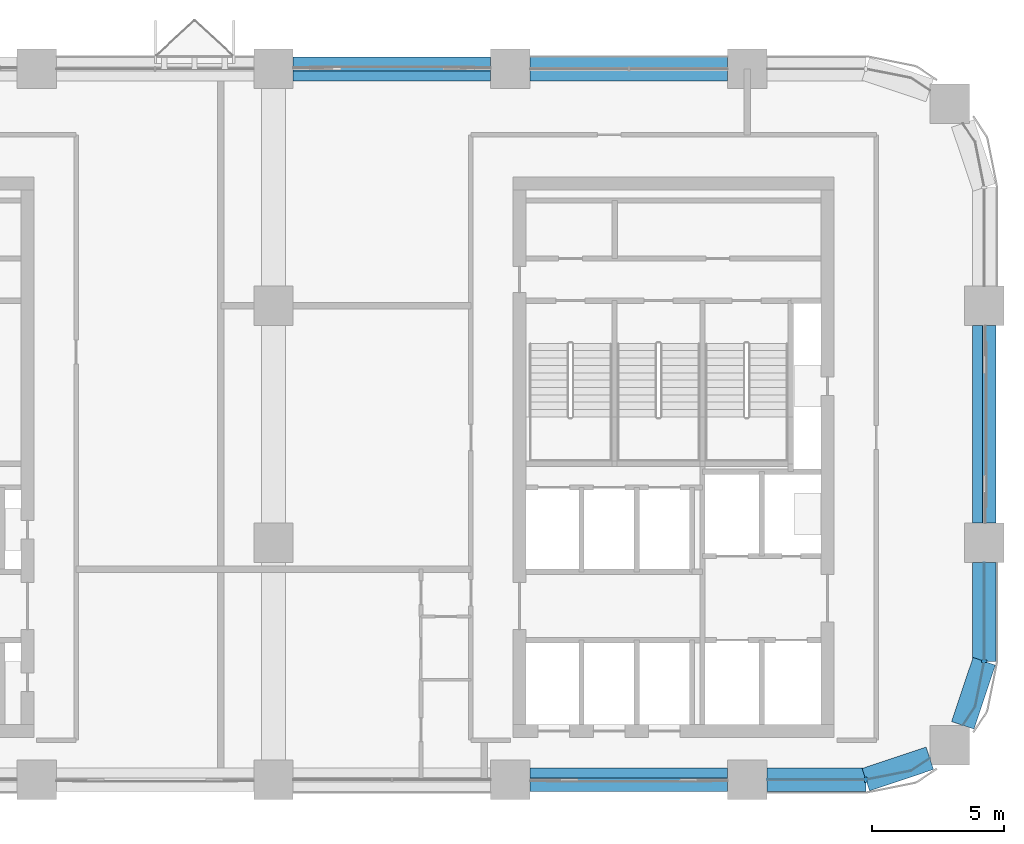
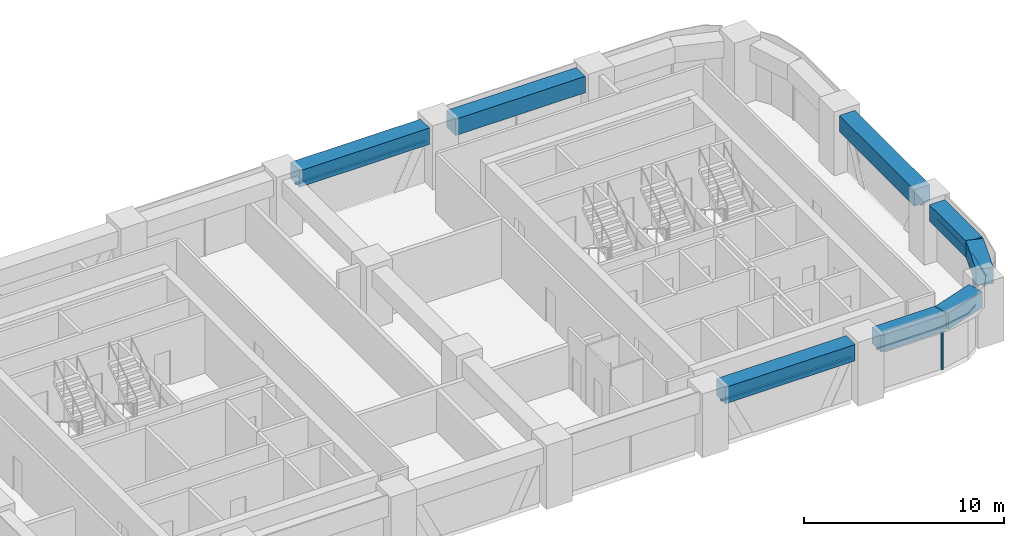
# One storey, part 5 of 14: 8 beams, 7 members, 5 elements without a shape of their own.
"""IFC4 building model written with IfcOpenShell, lengths in metres."""

import ifcopenshell
import ifcopenshell.guid

model = None  # the IFC model being written
_history = None  # IfcOwnerHistory: only IFC2X3 demands one
_inside = {}  # id of a spatial element -> (the spatial element, [elements in it])
_under = {}  # id of a project, library or spatial element -> (it, [spatial elements below it])
_declared = {}  # id of a project -> (the project, [libraries it declares])
_typed = {}  # id of a type object -> (the type object, [elements of that type])
_made_of = {}  # id of a material, layer set ... -> (it, [elements and type objects made of it])


def new_model(schema):
    """Start an empty IFC model of exactly this schema.

    Asked for "IFC4X3", IfcOpenShell would pick the latest addendum, in which some entities
    have other attributes; the version numbers below select the first issue.
    IFC2X3 requires an IfcOwnerHistory on every rooted entity: one is made here for all.
    """
    global model, _history
    if schema == "IFC4X3":
        model = ifcopenshell.file(schema_version=(4, 3, 0, 0))
    else:
        model = ifcopenshell.file(schema=schema)
    _inside.clear()
    _under.clear()
    _declared.clear()
    _typed.clear()
    _made_of.clear()
    _history = None
    if model.schema == "IFC2X3":
        org = make("IfcOrganization", Name="unknown")
        user = make(
            "IfcPersonAndOrganization",
            ThePerson=make("IfcPerson", FamilyName="unknown"),
            TheOrganization=org,
        )
        app = make(
            "IfcApplication",
            ApplicationDeveloper=org,
            Version="unknown",
            ApplicationFullName="unknown",
            ApplicationIdentifier="unknown",
        )
        _history = make(
            "IfcOwnerHistory",
            OwningUser=user,
            OwningApplication=app,
            ChangeAction="ADDED",
            CreationDate=0,
        )
    return model


def make(cls, **values):
    """One entity of the class cls with the attributes given. An attribute that is None is left unset."""
    return model.create_entity(
        cls, **{name: value for name, value in values.items() if value is not None}
    )


def rooted(cls, **values):
    """An entity with a GlobalId (a new one), such as an element, a storey or a relation."""
    return make(cls, GlobalId=ifcopenshell.guid.new(), OwnerHistory=_history, **values)


def si_unit(unit_type, name, prefix=None):
    """IfcSIUnit, for example si_unit("LENGTHUNIT", "METRE", prefix="MILLI")."""
    return make("IfcSIUnit", UnitType=unit_type, Prefix=prefix, Name=name)


def assignment(units):
    """IfcUnitAssignment: the units of a project."""
    return None if units is None else make("IfcUnitAssignment", Units=units)


def point(xyz):
    """IfcCartesianPoint."""
    return None if xyz is None else make("IfcCartesianPoint", Coordinates=xyz)


def direction(xyz):
    """IfcDirection."""
    return None if xyz is None else make("IfcDirection", DirectionRatios=xyz)


def frame(location, z_axis=None, x_axis=None):
    """IfcAxis2Placement3D, a coordinate frame: its origin and axes. An axis left out is left unset."""
    return make(
        "IfcAxis2Placement3D",
        Location=point(location),
        Axis=direction(z_axis),
        RefDirection=direction(x_axis),
    )


def frame_2d(location, x_axis=None):
    """IfcAxis2Placement2D, a coordinate frame in the plane: its origin and x axis."""
    return make(
        "IfcAxis2Placement2D", Location=point(location), RefDirection=direction(x_axis)
    )


def origin():
    """The frame at (0, 0, 0) with its axes left unset."""
    return frame((0.0, 0.0, 0.0))


def origin_2d():
    """The frame at (0, 0) in the plane with its x axis left unset."""
    return frame_2d((0.0, 0.0))


def place(relative_to, where):
    """IfcLocalPlacement: puts the frame where relative to a parent placement (None: the world)."""
    return make(
        "IfcLocalPlacement", PlacementRelTo=relative_to, RelativePlacement=where
    )


def context(
    kind, dimensions, precision=None, world=None, true_north=None, identifier=None
):
    """IfcGeometricRepresentationContext, for example the 3D "Model" context."""
    return make(
        "IfcGeometricRepresentationContext",
        ContextIdentifier=identifier,
        ContextType=kind,
        CoordinateSpaceDimension=dimensions,
        Precision=precision,
        WorldCoordinateSystem=world,
        TrueNorth=true_north,
    )


def subcontext(parent, identifier, kind, view, scale=None):
    """IfcGeometricRepresentationSubContext, for example "Body" below "Model"."""
    return make(
        "IfcGeometricRepresentationSubContext",
        ContextIdentifier=identifier,
        ContextType=kind,
        ParentContext=parent,
        TargetScale=scale,
        TargetView=view,
    )


def project(units=None, contexts=None):
    """IfcProject with its units and contexts."""
    return rooted(
        "IfcProject",
        Name="project",
        RepresentationContexts=contexts,
        UnitsInContext=assignment(units),
    )


def spatial(cls, under=None, at=None, **own):
    """A site, building, storey or space (cls), placed at a placement, below another one or the project."""
    s = rooted(cls, ObjectPlacement=at, **own)
    if under is not None:
        _under.setdefault(under.id(), (under, []))[1].append(s)
    return s


def polyline(points):
    """IfcPolyline through the points."""
    return make("IfcPolyline", Points=[point(p) for p in points])


def profile(cls, at=None, kind="AREA", **sizes):
    """A parametric profile (cls). Its sizes go by their IFC names, for example OverallWidth=200.0."""
    return make(cls, ProfileType=kind, Position=at, **sizes)


def rectangle(**sizes):
    """IfcRectangleProfileDef."""
    return profile("IfcRectangleProfileDef", **sizes)


def outline(outer, holes=None, kind="AREA"):
    """IfcArbitraryClosedProfileDef: a profile drawn as a closed curve; with holes, ...WithVoids."""
    if holes is None:
        return make("IfcArbitraryClosedProfileDef", ProfileType=kind, OuterCurve=outer)
    return make(
        "IfcArbitraryProfileDefWithVoids",
        ProfileType=kind,
        OuterCurve=outer,
        InnerCurves=holes,
    )


def extrude(swept, where, along, depth):
    """IfcExtrudedAreaSolid: the profile swept, set in the frame where, extruded along a direction by depth."""
    return make(
        "IfcExtrudedAreaSolid",
        SweptArea=swept,
        Position=where,
        ExtrudedDirection=direction(along),
        Depth=depth,
    )


def shape(context_of_items, identifier, shape_type, items):
    """IfcShapeRepresentation: the items that make up one representation, for example the "Body"."""
    return make(
        "IfcShapeRepresentation",
        ContextOfItems=context_of_items,
        RepresentationIdentifier=identifier,
        RepresentationType=shape_type,
        Items=items,
    )


def material(Name=None, Category=None):
    """IfcMaterial."""
    return make("IfcMaterial", Name=Name, Category=Category)


def material_profile(
    of_material, cross_section, Name=None, Category=None, Priority=None
):
    """IfcMaterialProfile: a cross section and its material."""
    return make(
        "IfcMaterialProfile",
        Name=Name,
        Material=of_material,
        Profile=cross_section,
        Priority=Priority,
        Category=Category,
    )


def profile_set(profiles, Name=None, composite=None):
    """IfcMaterialProfileSet."""
    return make(
        "IfcMaterialProfileSet",
        Name=Name,
        MaterialProfiles=profiles,
        CompositeProfile=composite,
    )


def made_of(thing, what):
    """Note that an element or type object is made of a material, layer set ...; save() writes the relation."""
    if what is not None:
        _made_of.setdefault(what.id(), (what, []))[1].append(thing)
    return thing


def type_object(cls, material=None, **own):
    """A type object (cls), such as IfcWallType, which elements share."""
    return made_of(rooted(cls, **own), material)


def element(
    cls,
    number,
    at=None,
    inside=None,
    cuts=None,
    type_object=None,
    material=None,
    context=None,
    identifier="Body",
    shape_type=None,
    held_by="IfcProductDefinitionShape",
    body=None,
    shapes=None,
    **own,
):
    """One element of the class cls, such as IfcWall. Its Tag is "e" and its number.

    at: its placement. inside: the storey or other place that contains it. cuts: it is an
    opening in that element (IfcRelVoidsElement). A single representation is given by context,
    identifier, shape_type and body (its items); several are given by shapes. held_by: the class
    of the entity that holds the representations. save() writes the other relations.
    """
    e = rooted(cls, Tag="e%d" % number, ObjectPlacement=at, **own)
    if body is not None:
        shapes = [shape(context, identifier, shape_type, body)]
    if shapes is not None:
        e.Representation = make(held_by, Representations=shapes)
    if inside is not None:
        _inside.setdefault(inside.id(), (inside, []))[1].append(e)
    if cuts is not None:
        rooted(
            "IfcRelVoidsElement", RelatingBuildingElement=cuts, RelatedOpeningElement=e
        )
    if type_object is not None:
        _typed.setdefault(type_object.id(), (type_object, []))[1].append(e)
    return made_of(e, material)


def aggregate(whole, parts):
    """IfcRelAggregates: a whole, such as a stair, and the parts it consists of."""
    return rooted("IfcRelAggregates", RelatingObject=whole, RelatedObjects=parts)


def save(model, path):
    """Write the relations noted so far, then the file.

    IfcRelAggregates (storeys below a building ...), IfcRelContainedInSpatialStructure (elements
    in a storey), IfcRelDefinesByType, IfcRelAssociatesMaterial and IfcRelDeclares: one each for
    every whole, place, type object, material and project.
    """
    for whole, parts in _under.values():
        aggregate(whole, parts)
    for where, things in _inside.values():
        rooted(
            "IfcRelContainedInSpatialStructure",
            RelatedElements=things,
            RelatingStructure=where,
        )
    for kind, things in _typed.values():
        rooted("IfcRelDefinesByType", RelatedObjects=things, RelatingType=kind)
    for what, things in _made_of.values():
        rooted("IfcRelAssociatesMaterial", RelatedObjects=things, RelatingMaterial=what)
    for by, libraries in _declared.values():
        rooted("IfcRelDeclares", RelatingContext=by, RelatedDefinitions=libraries)
    model.write(path)


model = new_model("IFC4")

# Units and contexts
model_context = context("Model", 3, precision=1e-05, world=origin(), true_north=direction((0.0, 1.0)))
body_context = subcontext(model_context, "Body", "Model", "MODEL_VIEW")
ifc_project = project(units=[si_unit("LENGTHUNIT", "METRE"), si_unit("AREAUNIT", "SQUARE_METRE"), si_unit("VOLUMEUNIT", "CUBIC_METRE"), si_unit("PLANEANGLEUNIT", "RADIAN"), si_unit("MASSUNIT", "GRAM", prefix="KILO")], contexts=[model_context])

# Site, building, storey
site_placement = place(None, origin())
site = spatial("IfcSite", under=ifc_project, at=site_placement, CompositionType="ELEMENT")
building_placement = place(site_placement, origin())
building = spatial("IfcBuilding", under=site, at=building_placement, Name="Tessera Arch", CompositionType="ELEMENT")
storey_placement = place(building_placement, frame((0.0, 0.0, 177.800048828125)))
storey = spatial("IfcBuildingStorey", under=building, at=storey_placement, Name="L42", CompositionType="ELEMENT", Elevation=177.800048828125)

# Curtain wall, member
ifc_material_1 = material(Name="CW2 curtain wall")
curtain_wall_type_1 = type_object("IfcCurtainWallType", Name="CW2 curtain wall", PredefinedType="NOTDEFINED", material=ifc_material_1)
curtain_wall_1_placement = place(storey_placement, origin())
curtain_wall_1 = element("IfcCurtainWall", 1, at=curtain_wall_1_placement, inside=storey, type_object=curtain_wall_type_1, Name="CW2 curtain wall S27.0/5 L42", PredefinedType="NOTDEFINED")
ifc_material_2 = material(Name="Anodised aluminium pale metal", Category="aluminium")
ifc_material_profile_1 = material_profile(ifc_material_2, rectangle(XDim=0.199951171875, YDim=0.080078125, at=origin_2d()), Name="AL 80x200")
ifc_profile_set_1 = profile_set([ifc_material_profile_1], Name="Anodised aluminium pale metal")
member_type_1 = type_object("IfcMemberType", Name="CW2 mullion", PredefinedType="MULLION", material=ifc_profile_set_1)
member_1_placement = place(storey_placement, frame((49.5, 27.0, 0.0), z_axis=(0.0, 0.0, 1.0), x_axis=(0.0, 1.0, 0.0)))
member_1 = element("IfcMember", 2, at=member_1_placement, type_object=member_type_1, Name="CW2 mullion S27.0/5 1", PredefinedType="MULLION", context=body_context, shape_type="SweptSolid", body=[
    extrude(rectangle(XDim=0.199951171875, YDim=0.080078125, at=origin_2d()), origin(), (0.0, 0.0, 1.0), 2.5),
])

curtain_wall_2_placement = place(storey_placement, origin())
curtain_wall_2 = element("IfcCurtainWall", 3, at=curtain_wall_2_placement, inside=storey, type_object=curtain_wall_type_1, Name="CW2 curtain wall E54.27/2 L42", PredefinedType="NOTDEFINED")
member_2_placement = place(storey_placement, frame((54.0, 31.5, 0.0), z_axis=(0.0, 0.0, 1.0), x_axis=(-1.0, 0.0, 0.0)))
member_2 = element("IfcMember", 4, at=member_2_placement, type_object=member_type_1, Name="CW2 mullion E54.27/2 1", PredefinedType="MULLION", context=body_context, shape_type="SweptSolid", body=[
    extrude(rectangle(XDim=0.199951171875, YDim=0.080078125, at=origin_2d()), origin(), (0.0, 0.0, 1.0), 2.5),
])

# Member
ifc_material_3 = material(Name="Anodised aluminium pale metal", Category="aluminium")
ifc_material_profile_2 = material_profile(ifc_material_3, rectangle(XDim=0.199951171875, YDim=0.10009765625, at=origin_2d()), Name="AL 200x100")
ifc_profile_set_2 = profile_set([ifc_material_profile_2], Name="Anodised aluminium pale metal")
member_type_2 = type_object("IfcMemberType", Name="CW2 transom", PredefinedType="USERDEFINED", material=ifc_profile_set_2)
member_3_placement = place(storey_placement, frame((0.0, 0.0, 2.5)))
member_3 = element("IfcMember", 5, at=member_3_placement, type_object=member_type_2, Name="CW2 transom S27.0/5 1", ObjectType="TRANSOM", PredefinedType="USERDEFINED", context=body_context, shape_type="SweptSolid", body=[
    extrude(outline(polyline([(49.4990234375, 27.010009765625), (45.75, 27.010009765625), (45.75, 26.989990234375), (49.5009765625, 26.989990234375), (51.22607421875, 27.3330078125), (51.9375, 27.80859375), (51.926513671875, 27.8251953125), (51.21826171875, 27.351806640625), (49.4990234375, 27.010009765625)])), origin(), (0.0, 0.0, 1.0), 0.099853515625),
])

aggregate(curtain_wall_1, [member_1, member_3])

member_4_placement = place(storey_placement, frame((0.0, 0.0, 2.5)))
member_4 = element("IfcMember", 6, at=member_4_placement, type_object=member_type_2, Name="CW2 transom E54.27/2 1", ObjectType="TRANSOM", PredefinedType="USERDEFINED", context=body_context, shape_type="SweptSolid", body=[
    extrude(outline(polyline([(53.648193359375, 29.78173828125), (53.1748046875, 29.073486328125), (53.19140625, 29.0625), (53.6669921875, 29.77392578125), (54.010009765625, 31.4990234375), (54.010009765625, 35.25), (53.989990234375, 35.25), (53.989990234375, 31.5009765625), (53.648193359375, 29.78173828125)])), origin(), (0.0, 0.0, 1.0), 0.099853515625),
])

aggregate(curtain_wall_2, [member_2, member_4])

# Curtain wall, member
ifc_material_4 = material(Name="CW3 curtain wall")
curtain_wall_type_2 = type_object("IfcCurtainWallType", Name="CW3 curtain wall", PredefinedType="NOTDEFINED", material=ifc_material_4)
curtain_wall_3_placement = place(storey_placement, origin())
curtain_wall_3 = element("IfcCurtainWall", 7, at=curtain_wall_3_placement, inside=storey, type_object=curtain_wall_type_2, Name="CW3 curtain wall E54.27/0 L42", PredefinedType="NOTDEFINED")
ifc_material_5 = material(Name="Anodised aluminium pale metal", Category="aluminium")
ifc_material_profile_3 = material_profile(ifc_material_5, rectangle(XDim=0.139892578125, YDim=0.10009765625, at=origin_2d()), Name="AL 140x100")
ifc_profile_set_3 = profile_set([ifc_material_profile_3], Name="Anodised aluminium pale metal")
member_type_3 = type_object("IfcMemberType", Name="CW3 transom", PredefinedType="USERDEFINED", material=ifc_profile_set_3)
member_5_placement = place(storey_placement, frame((54.0, 36.75, 2.550048828125), z_axis=(0.0, 1.0, 0.0), x_axis=(-1.0, 0.0, 0.0)))
member_5 = element("IfcMember", 8, at=member_5_placement, type_object=member_type_3, Name="CW3 transom E54.27/0 1.1", ObjectType="TRANSOM", PredefinedType="USERDEFINED", context=body_context, shape_type="SweptSolid", body=[
    extrude(rectangle(XDim=0.139892578125, YDim=0.10009765625, at=origin_2d()), origin(), (0.0, 0.0, 1.0), 7.5),
])
aggregate(curtain_wall_3, [member_5])

curtain_wall_4_placement = place(storey_placement, origin())
curtain_wall_4 = element("IfcCurtainWall", 9, at=curtain_wall_4_placement, inside=storey, type_object=curtain_wall_type_2, Name="CW3 curtain wall N54.0/2 L42", PredefinedType="NOTDEFINED")
member_6_placement = place(storey_placement, frame((35.25, 54.0, 2.550048828125), z_axis=(-1.0, 0.0, 0.0), x_axis=(0.0, -1.0, 0.0)))
member_6 = element("IfcMember", 10, at=member_6_placement, type_object=member_type_3, Name="CW3 transom N54.0/2 1.1", ObjectType="TRANSOM", PredefinedType="USERDEFINED", context=body_context, shape_type="SweptSolid", body=[
    extrude(rectangle(XDim=0.139892578125, YDim=0.10009765625, at=origin_2d()), origin(), (0.0, 0.0, 1.0), 7.5),
])
aggregate(curtain_wall_4, [member_6])

curtain_wall_5_placement = place(storey_placement, origin())
curtain_wall_5 = element("IfcCurtainWall", 11, at=curtain_wall_5_placement, inside=storey, type_object=curtain_wall_type_2, Name="CW3 curtain wall S27.0/4 L42", PredefinedType="NOTDEFINED")
member_7_placement = place(storey_placement, frame((36.75, 27.0, 2.550048828125), z_axis=(1.0, 0.0, 0.0), x_axis=(0.0, 1.0, 0.0)))
member_7 = element("IfcMember", 12, at=member_7_placement, type_object=member_type_3, Name="CW3 transom S27.0/4 1.1", ObjectType="TRANSOM", PredefinedType="USERDEFINED", context=body_context, shape_type="SweptSolid", body=[
    extrude(rectangle(XDim=0.139892578125, YDim=0.10009765625, at=origin_2d()), origin(), (0.0, 0.0, 1.0), 7.5),
])
aggregate(curtain_wall_5, [member_7])

# Beams
ifc_material_6 = material(Name="Concrete C70/85", Category="concrete")
ifc_material_profile_4 = material_profile(ifc_material_6, rectangle(XDim=0.89990234375, YDim=1.0, at=origin_2d()), Name="RC spandrel beam 900 x 1000 Concrete C70/85")
ifc_profile_set_4 = profile_set([ifc_material_profile_4], Name="Concrete C70/85")
beam_type = type_object("IfcBeamType", Name="RC spandrel beam 900 x 1000 Concrete C70/85", PredefinedType="BEAM", material=ifc_profile_set_4)
for number, where, z_axis, x_axis, name in (
    (13, (54.0, 36.75, 3.099853515625), (0.0, 1.0, 0.0), (-1.0, 0.0, 0.0), "Spandrel beam L42 E54.27/0"),
    (14, (44.25, 54.0, 3.099853515625), (-1.0, 0.0, 0.0), (0.0, -1.0, 0.0), "Spandrel beam L42 N54.0/1"),
    (15, (35.25, 54.0, 3.099853515625), (-1.0, 0.0, 0.0), (0.0, -1.0, 0.0), "Spandrel beam L42 N54.0/2"),
    (16, (36.75, 27.0, 3.099853515625), (1.0, 0.0, 0.0), (0.0, 1.0, 0.0), "Spandrel beam L42 S27.0/4"),
):
    element("IfcBeam", number, at=place(storey_placement, frame(where, z_axis=z_axis, x_axis=x_axis)), inside=storey, type_object=beam_type, Name=name, PredefinedType="BEAM", context=body_context, shape_type="SweptSolid", body=[
        extrude(rectangle(XDim=0.89990234375, YDim=1.0, at=origin_2d()), origin(), (0.0, 0.0, 1.0), 7.5),
    ])
beam_1_placement = place(storey_placement, frame((45.75, 27.0, 3.099853515625), z_axis=(1.0, 0.0, 0.0), x_axis=(0.0, 1.0, 0.0)))
element("IfcBeam", 17, at=beam_1_placement, inside=storey, type_object=beam_type, Name="Spandrel beam L42 S27.0/5.1", PredefinedType="BEAM", context=body_context, shape_type="SweptSolid", body=[
    extrude(rectangle(XDim=0.89990234375, YDim=1.0, at=origin_2d()), origin(), (0.0, 0.0, 1.0), 3.75),
])
for number, where, z_axis, x_axis, name in (
    (18, (49.5, 27.0, 3.099853515625), (0.947947973234, 0.31842525032, 0.0), (-0.31842525032, 0.947947973234, 0.0), "Spandrel beam L42 S27.0/5.2"),
    (19, (53.18310546875, 29.068115234375, 3.099853515625), (0.31842525032, 0.947947973234, 0.0), (-0.947947973234, 0.31842525032, 0.0), "Spandrel beam L42 E54.27/2.1"),
):
    element("IfcBeam", number, at=place(storey_placement, frame(where, z_axis=z_axis, x_axis=x_axis)), inside=storey, type_object=beam_type, Name=name, PredefinedType="BEAM", context=body_context, shape_type="SweptSolid", body=[
        extrude(rectangle(XDim=0.89990234375, YDim=1.0, at=origin_2d()), origin(), (0.0, 0.0, 1.0), 2.5654296875),
    ])
beam_2_placement = place(storey_placement, frame((54.0, 31.5, 3.099853515625), z_axis=(0.0, 1.0, 0.0), x_axis=(-1.0, 0.0, 0.0)))
element("IfcBeam", 20, at=beam_2_placement, inside=storey, type_object=beam_type, Name="Spandrel beam L42 E54.27/2.2", PredefinedType="BEAM", context=body_context, shape_type="SweptSolid", body=[
    extrude(rectangle(XDim=0.89990234375, YDim=1.0, at=origin_2d()), origin(), (0.0, 0.0, 1.0), 3.75),
])

save(model, "model.ifc")
